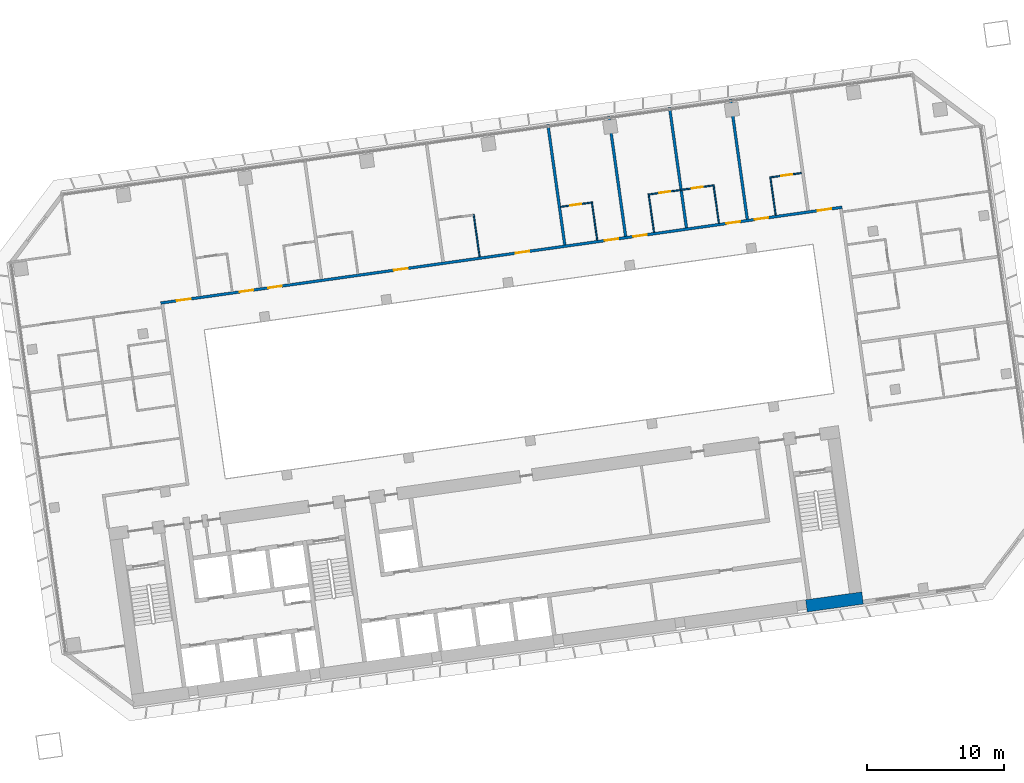
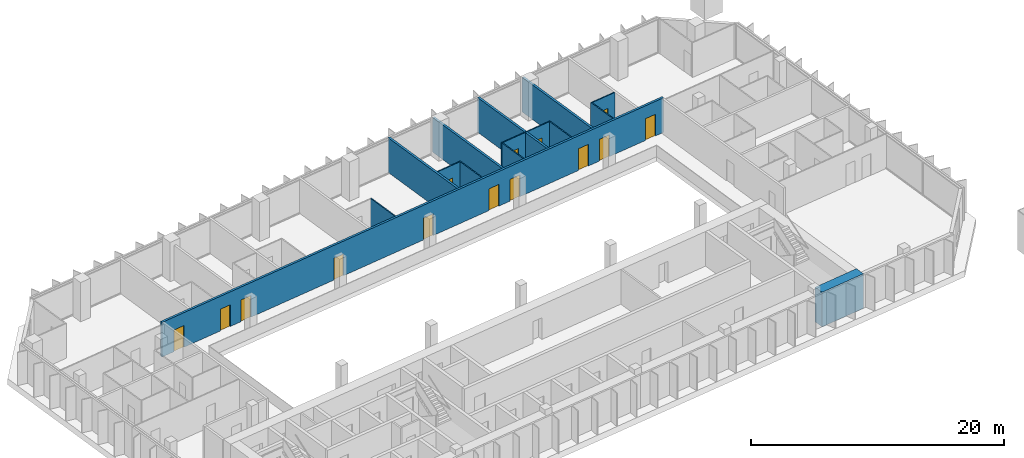
# One storey, part 21 of 25: 14 doors, 14 walls, 14 openings.
"""IFC4 building model written with IfcOpenShell, lengths in metres."""

import ifcopenshell
import ifcopenshell.guid

model = None  # the IFC model being written
_history = None  # IfcOwnerHistory: only IFC2X3 demands one
_inside = {}  # id of a spatial element -> (the spatial element, [elements in it])
_under = {}  # id of a project, library or spatial element -> (it, [spatial elements below it])
_declared = {}  # id of a project -> (the project, [libraries it declares])
_typed = {}  # id of a type object -> (the type object, [elements of that type])
_made_of = {}  # id of a material, layer set ... -> (it, [elements and type objects made of it])


def new_model(schema):
    """Start an empty IFC model of exactly this schema.

    Asked for "IFC4X3", IfcOpenShell would pick the latest addendum, in which some entities
    have other attributes; the version numbers below select the first issue.
    IFC2X3 requires an IfcOwnerHistory on every rooted entity: one is made here for all.
    """
    global model, _history
    if schema == "IFC4X3":
        model = ifcopenshell.file(schema_version=(4, 3, 0, 0))
    else:
        model = ifcopenshell.file(schema=schema)
    _inside.clear()
    _under.clear()
    _declared.clear()
    _typed.clear()
    _made_of.clear()
    _history = None
    if model.schema == "IFC2X3":
        org = make("IfcOrganization", Name="unknown")
        user = make(
            "IfcPersonAndOrganization",
            ThePerson=make("IfcPerson", FamilyName="unknown"),
            TheOrganization=org,
        )
        app = make(
            "IfcApplication",
            ApplicationDeveloper=org,
            Version="unknown",
            ApplicationFullName="unknown",
            ApplicationIdentifier="unknown",
        )
        _history = make(
            "IfcOwnerHistory",
            OwningUser=user,
            OwningApplication=app,
            ChangeAction="ADDED",
            CreationDate=0,
        )
    return model


def make(cls, **values):
    """One entity of the class cls with the attributes given. An attribute that is None is left unset."""
    return model.create_entity(
        cls, **{name: value for name, value in values.items() if value is not None}
    )


def rooted(cls, **values):
    """An entity with a GlobalId (a new one), such as an element, a storey or a relation."""
    return make(cls, GlobalId=ifcopenshell.guid.new(), OwnerHistory=_history, **values)


def si_unit(unit_type, name, prefix=None):
    """IfcSIUnit, for example si_unit("LENGTHUNIT", "METRE", prefix="MILLI")."""
    return make("IfcSIUnit", UnitType=unit_type, Prefix=prefix, Name=name)


def assignment(units):
    """IfcUnitAssignment: the units of a project."""
    return None if units is None else make("IfcUnitAssignment", Units=units)


def point(xyz):
    """IfcCartesianPoint."""
    return None if xyz is None else make("IfcCartesianPoint", Coordinates=xyz)


def direction(xyz):
    """IfcDirection."""
    return None if xyz is None else make("IfcDirection", DirectionRatios=xyz)


def frame(location, z_axis=None, x_axis=None):
    """IfcAxis2Placement3D, a coordinate frame: its origin and axes. An axis left out is left unset."""
    return make(
        "IfcAxis2Placement3D",
        Location=point(location),
        Axis=direction(z_axis),
        RefDirection=direction(x_axis),
    )


def frame_2d(location, x_axis=None):
    """IfcAxis2Placement2D, a coordinate frame in the plane: its origin and x axis."""
    return make(
        "IfcAxis2Placement2D", Location=point(location), RefDirection=direction(x_axis)
    )


def origin():
    """The frame at (0, 0, 0) with its axes left unset."""
    return frame((0.0, 0.0, 0.0))


def place(relative_to, where):
    """IfcLocalPlacement: puts the frame where relative to a parent placement (None: the world)."""
    return make(
        "IfcLocalPlacement", PlacementRelTo=relative_to, RelativePlacement=where
    )


def context(
    kind, dimensions, precision=None, world=None, true_north=None, identifier=None
):
    """IfcGeometricRepresentationContext, for example the 3D "Model" context."""
    return make(
        "IfcGeometricRepresentationContext",
        ContextIdentifier=identifier,
        ContextType=kind,
        CoordinateSpaceDimension=dimensions,
        Precision=precision,
        WorldCoordinateSystem=world,
        TrueNorth=true_north,
    )


def subcontext(parent, identifier, kind, view, scale=None):
    """IfcGeometricRepresentationSubContext, for example "Body" below "Model"."""
    return make(
        "IfcGeometricRepresentationSubContext",
        ContextIdentifier=identifier,
        ContextType=kind,
        ParentContext=parent,
        TargetScale=scale,
        TargetView=view,
    )


def project(units=None, contexts=None):
    """IfcProject with its units and contexts."""
    return rooted(
        "IfcProject",
        Name="project",
        RepresentationContexts=contexts,
        UnitsInContext=assignment(units),
    )


def spatial(cls, under=None, at=None, **own):
    """A site, building, storey or space (cls), placed at a placement, below another one or the project."""
    s = rooted(cls, ObjectPlacement=at, **own)
    if under is not None:
        _under.setdefault(under.id(), (under, []))[1].append(s)
    return s


def profile(cls, at=None, kind="AREA", **sizes):
    """A parametric profile (cls). Its sizes go by their IFC names, for example OverallWidth=200.0."""
    return make(cls, ProfileType=kind, Position=at, **sizes)


def rectangle(**sizes):
    """IfcRectangleProfileDef."""
    return profile("IfcRectangleProfileDef", **sizes)


def extrude(swept, where, along, depth):
    """IfcExtrudedAreaSolid: the profile swept, set in the frame where, extruded along a direction by depth."""
    return make(
        "IfcExtrudedAreaSolid",
        SweptArea=swept,
        Position=where,
        ExtrudedDirection=direction(along),
        Depth=depth,
    )


def shape(context_of_items, identifier, shape_type, items):
    """IfcShapeRepresentation: the items that make up one representation, for example the "Body"."""
    return make(
        "IfcShapeRepresentation",
        ContextOfItems=context_of_items,
        RepresentationIdentifier=identifier,
        RepresentationType=shape_type,
        Items=items,
    )


def material(Name=None, Category=None):
    """IfcMaterial."""
    return make("IfcMaterial", Name=Name, Category=Category)


def layer(
    of_material, thickness, ventilated=None, Name=None, Category=None, Priority=None
):
    """IfcMaterialLayer: one layer of a wall or slab, of a material (None: an air gap)."""
    return make(
        "IfcMaterialLayer",
        Material=of_material,
        LayerThickness=thickness,
        IsVentilated=ventilated,
        Name=Name,
        Category=Category,
        Priority=Priority,
    )


def layer_set(layers, Name=None):
    """IfcMaterialLayerSet."""
    return make("IfcMaterialLayerSet", MaterialLayers=layers, LayerSetName=Name)


def made_of(thing, what):
    """Note that an element or type object is made of a material, layer set ...; save() writes the relation."""
    if what is not None:
        _made_of.setdefault(what.id(), (what, []))[1].append(thing)
    return thing


def type_object(cls, material=None, **own):
    """A type object (cls), such as IfcWallType, which elements share."""
    return made_of(rooted(cls, **own), material)


def element(
    cls,
    number,
    at=None,
    inside=None,
    cuts=None,
    type_object=None,
    material=None,
    context=None,
    identifier="Body",
    shape_type=None,
    held_by="IfcProductDefinitionShape",
    body=None,
    shapes=None,
    **own,
):
    """One element of the class cls, such as IfcWall. Its Tag is "e" and its number.

    at: its placement. inside: the storey or other place that contains it. cuts: it is an
    opening in that element (IfcRelVoidsElement). A single representation is given by context,
    identifier, shape_type and body (its items); several are given by shapes. held_by: the class
    of the entity that holds the representations. save() writes the other relations.
    """
    e = rooted(cls, Tag="e%d" % number, ObjectPlacement=at, **own)
    if body is not None:
        shapes = [shape(context, identifier, shape_type, body)]
    if shapes is not None:
        e.Representation = make(held_by, Representations=shapes)
    if inside is not None:
        _inside.setdefault(inside.id(), (inside, []))[1].append(e)
    if cuts is not None:
        rooted(
            "IfcRelVoidsElement", RelatingBuildingElement=cuts, RelatedOpeningElement=e
        )
    if type_object is not None:
        _typed.setdefault(type_object.id(), (type_object, []))[1].append(e)
    return made_of(e, material)


def fill(opening, filler):
    """IfcRelFillsElement: the door or window that sits in an opening."""
    return rooted(
        "IfcRelFillsElement",
        RelatingOpeningElement=opening,
        RelatedBuildingElement=filler,
    )


def aggregate(whole, parts):
    """IfcRelAggregates: a whole, such as a stair, and the parts it consists of."""
    return rooted("IfcRelAggregates", RelatingObject=whole, RelatedObjects=parts)


def save(model, path):
    """Write the relations noted so far, then the file.

    IfcRelAggregates (storeys below a building ...), IfcRelContainedInSpatialStructure (elements
    in a storey), IfcRelDefinesByType, IfcRelAssociatesMaterial and IfcRelDeclares: one each for
    every whole, place, type object, material and project.
    """
    for whole, parts in _under.values():
        aggregate(whole, parts)
    for where, things in _inside.values():
        rooted(
            "IfcRelContainedInSpatialStructure",
            RelatedElements=things,
            RelatingStructure=where,
        )
    for kind, things in _typed.values():
        rooted("IfcRelDefinesByType", RelatedObjects=things, RelatingType=kind)
    for what, things in _made_of.values():
        rooted("IfcRelAssociatesMaterial", RelatedObjects=things, RelatingMaterial=what)
    for by, libraries in _declared.values():
        rooted("IfcRelDeclares", RelatingContext=by, RelatedDefinitions=libraries)
    model.write(path)


model = new_model("IFC4")

# Units and contexts
model_context = context("Model", 3, precision=1e-05, world=origin(), true_north=direction((0.0, 1.0)))
body_context = subcontext(model_context, "Body", "Model", "MODEL_VIEW")
ifc_project = project(units=[si_unit("LENGTHUNIT", "METRE"), si_unit("AREAUNIT", "SQUARE_METRE"), si_unit("VOLUMEUNIT", "CUBIC_METRE"), si_unit("PLANEANGLEUNIT", "RADIAN"), si_unit("MASSUNIT", "GRAM", prefix="KILO")], contexts=[model_context])

# Site, building, storey
site_placement = place(None, origin())
site = spatial("IfcSite", under=ifc_project, at=site_placement, CompositionType="ELEMENT")
building_placement = place(site_placement, origin())
building = spatial("IfcBuilding", under=site, at=building_placement, Name="Mirante Cascada Hotel Towers", CompositionType="ELEMENT")
storey_placement = place(building_placement, frame((0.0, 0.0, 69.9)))
storey = spatial("IfcBuildingStorey", under=building, at=storey_placement, Name="L14", CompositionType="ELEMENT", Elevation=69.9)

# Wall, openings, doors
ifc_material_1 = material(Name="Fire-rated plasterboard on metal studs")
ifc_layer_1 = layer(ifc_material_1, 0.2)
ifc_layer_set_1 = layer_set([ifc_layer_1], Name="Compartment wall 200 EI 120")
wall_type_1 = type_object("IfcWallType", Name="Compartment wall 200 EI 120", PredefinedType="PARTITIONING", material=ifc_layer_set_1)
wall_1_placement = place(storey_placement, frame((39.1051, 9.3779, 0.0), z_axis=(0.0, 0.0, 1.0), x_axis=(0.9902681, 0.1391727, 0.0)))
wall_1 = element("IfcWall", 1, at=wall_1_placement, inside=storey, type_object=wall_type_1, Name="Wall 2-L14-19", PredefinedType="PARTITIONING", context=body_context, shape_type="SweptSolid", body=[
    extrude(rectangle(XDim=50.4, YDim=0.2, at=frame_2d((25.2, 0.0))), origin(), (0.0, 0.0, 1.0), 3.35),
])
opening_1_placement = place(wall_1_placement, frame((1.2, 0.0, 0.0)))
opening_1 = element("IfcOpeningElement", 2, at=opening_1_placement, cuts=wall_1, Name="Opening D2-L14-11", PredefinedType="OPENING", context=body_context, shape_type="SweptSolid", body=[
    extrude(rectangle(XDim=1.0, YDim=2.1, at=frame_2d((0.5, 1.05))), frame((0.0, 0.1, 0.0), z_axis=(0.0, -1.0, 0.0), x_axis=(1.0, 0.0, 0.0)), (0.0, 0.0, 1.0), 0.2),
])
opening_2_placement = place(wall_1_placement, frame((5.85, 0.0, 0.0)))
opening_2 = element("IfcOpeningElement", 3, at=opening_2_placement, cuts=wall_1, Name="Opening D2-L14-12", PredefinedType="OPENING", context=body_context, shape_type="SweptSolid", body=[
    extrude(rectangle(XDim=1.0, YDim=2.1, at=frame_2d((0.5, 1.05))), frame((0.0, 0.1, 0.0), z_axis=(0.0, -1.0, 0.0), x_axis=(1.0, 0.0, 0.0)), (0.0, 0.0, 1.0), 0.2),
])
opening_3_placement = place(wall_1_placement, frame((7.95, 0.0, 0.0)))
opening_3 = element("IfcOpeningElement", 4, at=opening_3_placement, cuts=wall_1, Name="Opening D2-L14-13", PredefinedType="OPENING", context=body_context, shape_type="SweptSolid", body=[
    extrude(rectangle(XDim=1.0, YDim=2.1, at=frame_2d((0.5, 1.05))), frame((0.0, 0.1, 0.0), z_axis=(0.0, -1.0, 0.0), x_axis=(1.0, 0.0, 0.0)), (0.0, 0.0, 1.0), 0.2),
])
opening_4_placement = place(wall_1_placement, frame((17.25, 0.0, 0.0)))
opening_4 = element("IfcOpeningElement", 5, at=opening_4_placement, cuts=wall_1, Name="Opening D2-L14-14", PredefinedType="OPENING", context=body_context, shape_type="SweptSolid", body=[
    extrude(rectangle(XDim=1.0, YDim=2.1, at=frame_2d((0.5, 1.05))), frame((0.0, 0.1, 0.0), z_axis=(0.0, -1.0, 0.0), x_axis=(1.0, 0.0, 0.0)), (0.0, 0.0, 1.0), 0.2),
])
opening_5_placement = place(wall_1_placement, frame((26.25, 0.0, 0.0)))
opening_5 = element("IfcOpeningElement", 6, at=opening_5_placement, cuts=wall_1, Name="Opening D2-L14-15", PredefinedType="OPENING", context=body_context, shape_type="SweptSolid", body=[
    extrude(rectangle(XDim=1.0, YDim=2.1, at=frame_2d((0.5, 1.05))), frame((0.0, 0.1, 0.0), z_axis=(0.0, -1.0, 0.0), x_axis=(1.0, 0.0, 0.0)), (0.0, 0.0, 1.0), 0.2),
])
opening_6_placement = place(wall_1_placement, frame((32.85, 0.0, 0.0)))
opening_6 = element("IfcOpeningElement", 7, at=opening_6_placement, cuts=wall_1, Name="Opening D2-L14-16", PredefinedType="OPENING", context=body_context, shape_type="SweptSolid", body=[
    extrude(rectangle(XDim=1.0, YDim=2.1, at=frame_2d((0.5, 1.05))), frame((0.0, 0.1, 0.0), z_axis=(0.0, -1.0, 0.0), x_axis=(1.0, 0.0, 0.0)), (0.0, 0.0, 1.0), 0.2),
])
opening_7_placement = place(wall_1_placement, frame((34.95, 0.0, 0.0)))
opening_7 = element("IfcOpeningElement", 8, at=opening_7_placement, cuts=wall_1, Name="Opening D2-L14-17", PredefinedType="OPENING", context=body_context, shape_type="SweptSolid", body=[
    extrude(rectangle(XDim=1.0, YDim=2.1, at=frame_2d((0.5, 1.05))), frame((0.0, 0.1, 0.0), z_axis=(0.0, -1.0, 0.0), x_axis=(1.0, 0.0, 0.0)), (0.0, 0.0, 1.0), 0.2),
])
opening_8_placement = place(wall_1_placement, frame((41.85, 0.0, 0.0)))
opening_8 = element("IfcOpeningElement", 9, at=opening_8_placement, cuts=wall_1, Name="Opening D2-L14-18", PredefinedType="OPENING", context=body_context, shape_type="SweptSolid", body=[
    extrude(rectangle(XDim=1.0, YDim=2.1, at=frame_2d((0.5, 1.05))), frame((0.0, 0.1, 0.0), z_axis=(0.0, -1.0, 0.0), x_axis=(1.0, 0.0, 0.0)), (0.0, 0.0, 1.0), 0.2),
])
opening_9_placement = place(wall_1_placement, frame((43.95, 0.0, 0.0)))
opening_9 = element("IfcOpeningElement", 10, at=opening_9_placement, cuts=wall_1, Name="Opening D2-L14-19", PredefinedType="OPENING", context=body_context, shape_type="SweptSolid", body=[
    extrude(rectangle(XDim=1.0, YDim=2.1, at=frame_2d((0.5, 1.05))), frame((0.0, 0.1, 0.0), z_axis=(0.0, -1.0, 0.0), x_axis=(1.0, 0.0, 0.0)), (0.0, 0.0, 1.0), 0.2),
])
opening_10_placement = place(wall_1_placement, frame((48.6, 0.0, 0.0)))
opening_10 = element("IfcOpeningElement", 11, at=opening_10_placement, cuts=wall_1, Name="Opening D2-L14-20", PredefinedType="OPENING", context=body_context, shape_type="SweptSolid", body=[
    extrude(rectangle(XDim=1.0, YDim=2.1, at=frame_2d((0.5, 1.05))), frame((0.0, 0.1, 0.0), z_axis=(0.0, -1.0, 0.0), x_axis=(1.0, 0.0, 0.0)), (0.0, 0.0, 1.0), 0.2),
])
ifc_material_2 = material(Name="Fire-rated timber door leaf", Category="wood")
door_type_1 = type_object("IfcDoorType", Name="Entrance door DG1 1000x2100 EI 60", OperationType="SINGLE_SWING_LEFT", PredefinedType="DOOR", material=ifc_material_2)
door_1_placement = place(opening_1_placement, origin())
door_1 = element("IfcDoor", 12, at=door_1_placement, inside=storey, type_object=door_type_1, Name="Door D2-L14-11", OperationType="SINGLE_SWING_LEFT", OverallHeight=2.1, OverallWidth=1.0, PredefinedType="DOOR", context=body_context, shape_type="SweptSolid", body=[
    extrude(rectangle(XDim=1.0, YDim=2.1, at=frame_2d((0.5, 1.05))), frame((0.0, 0.025, 0.0), z_axis=(0.0, -1.0, 0.0), x_axis=(1.0, 0.0, 0.0)), (0.0, 0.0, 1.0), 0.05),
])
fill(opening_1, door_1)
door_2_placement = place(opening_2_placement, origin())
door_2 = element("IfcDoor", 13, at=door_2_placement, inside=storey, type_object=door_type_1, Name="Door D2-L14-12", OperationType="SINGLE_SWING_LEFT", OverallHeight=2.1, OverallWidth=1.0, PredefinedType="DOOR", context=body_context, shape_type="SweptSolid", body=[
    extrude(rectangle(XDim=1.0, YDim=2.1, at=frame_2d((0.5, 1.05))), frame((0.0, 0.025, 0.0), z_axis=(0.0, -1.0, 0.0), x_axis=(1.0, 0.0, 0.0)), (0.0, 0.0, 1.0), 0.05),
])
fill(opening_2, door_2)
door_3_placement = place(opening_3_placement, origin())
door_3 = element("IfcDoor", 14, at=door_3_placement, inside=storey, type_object=door_type_1, Name="Door D2-L14-13", OperationType="SINGLE_SWING_LEFT", OverallHeight=2.1, OverallWidth=1.0, PredefinedType="DOOR", context=body_context, shape_type="SweptSolid", body=[
    extrude(rectangle(XDim=1.0, YDim=2.1, at=frame_2d((0.5, 1.05))), frame((0.0, 0.025, 0.0), z_axis=(0.0, -1.0, 0.0), x_axis=(1.0, 0.0, 0.0)), (0.0, 0.0, 1.0), 0.05),
])
fill(opening_3, door_3)
door_4_placement = place(opening_4_placement, origin())
door_4 = element("IfcDoor", 15, at=door_4_placement, inside=storey, type_object=door_type_1, Name="Door D2-L14-14", OperationType="SINGLE_SWING_LEFT", OverallHeight=2.1, OverallWidth=1.0, PredefinedType="DOOR", context=body_context, shape_type="SweptSolid", body=[
    extrude(rectangle(XDim=1.0, YDim=2.1, at=frame_2d((0.5, 1.05))), frame((0.0, 0.025, 0.0), z_axis=(0.0, -1.0, 0.0), x_axis=(1.0, 0.0, 0.0)), (0.0, 0.0, 1.0), 0.05),
])
fill(opening_4, door_4)
door_5_placement = place(opening_5_placement, origin())
door_5 = element("IfcDoor", 16, at=door_5_placement, inside=storey, type_object=door_type_1, Name="Door D2-L14-15", OperationType="SINGLE_SWING_LEFT", OverallHeight=2.1, OverallWidth=1.0, PredefinedType="DOOR", context=body_context, shape_type="SweptSolid", body=[
    extrude(rectangle(XDim=1.0, YDim=2.1, at=frame_2d((0.5, 1.05))), frame((0.0, 0.025, 0.0), z_axis=(0.0, -1.0, 0.0), x_axis=(1.0, 0.0, 0.0)), (0.0, 0.0, 1.0), 0.05),
])
fill(opening_5, door_5)
door_6_placement = place(opening_6_placement, origin())
door_6 = element("IfcDoor", 17, at=door_6_placement, inside=storey, type_object=door_type_1, Name="Door D2-L14-16", OperationType="SINGLE_SWING_LEFT", OverallHeight=2.1, OverallWidth=1.0, PredefinedType="DOOR", context=body_context, shape_type="SweptSolid", body=[
    extrude(rectangle(XDim=1.0, YDim=2.1, at=frame_2d((0.5, 1.05))), frame((0.0, 0.025, 0.0), z_axis=(0.0, -1.0, 0.0), x_axis=(1.0, 0.0, 0.0)), (0.0, 0.0, 1.0), 0.05),
])
fill(opening_6, door_6)
door_7_placement = place(opening_7_placement, origin())
door_7 = element("IfcDoor", 18, at=door_7_placement, inside=storey, type_object=door_type_1, Name="Door D2-L14-17", OperationType="SINGLE_SWING_LEFT", OverallHeight=2.1, OverallWidth=1.0, PredefinedType="DOOR", context=body_context, shape_type="SweptSolid", body=[
    extrude(rectangle(XDim=1.0, YDim=2.1, at=frame_2d((0.5, 1.05))), frame((0.0, 0.025, 0.0), z_axis=(0.0, -1.0, 0.0), x_axis=(1.0, 0.0, 0.0)), (0.0, 0.0, 1.0), 0.05),
])
fill(opening_7, door_7)
door_8_placement = place(opening_8_placement, origin())
door_8 = element("IfcDoor", 19, at=door_8_placement, inside=storey, type_object=door_type_1, Name="Door D2-L14-18", OperationType="SINGLE_SWING_LEFT", OverallHeight=2.1, OverallWidth=1.0, PredefinedType="DOOR", context=body_context, shape_type="SweptSolid", body=[
    extrude(rectangle(XDim=1.0, YDim=2.1, at=frame_2d((0.5, 1.05))), frame((0.0, 0.025, 0.0), z_axis=(0.0, -1.0, 0.0), x_axis=(1.0, 0.0, 0.0)), (0.0, 0.0, 1.0), 0.05),
])
fill(opening_8, door_8)
door_9_placement = place(opening_9_placement, origin())
door_9 = element("IfcDoor", 20, at=door_9_placement, inside=storey, type_object=door_type_1, Name="Door D2-L14-19", OperationType="SINGLE_SWING_LEFT", OverallHeight=2.1, OverallWidth=1.0, PredefinedType="DOOR", context=body_context, shape_type="SweptSolid", body=[
    extrude(rectangle(XDim=1.0, YDim=2.1, at=frame_2d((0.5, 1.05))), frame((0.0, 0.025, 0.0), z_axis=(0.0, -1.0, 0.0), x_axis=(1.0, 0.0, 0.0)), (0.0, 0.0, 1.0), 0.05),
])
fill(opening_9, door_9)
door_10_placement = place(opening_10_placement, origin())
door_10 = element("IfcDoor", 21, at=door_10_placement, inside=storey, type_object=door_type_1, Name="Door D2-L14-20", OperationType="SINGLE_SWING_LEFT", OverallHeight=2.1, OverallWidth=1.0, PredefinedType="DOOR", context=body_context, shape_type="SweptSolid", body=[
    extrude(rectangle(XDim=1.0, YDim=2.1, at=frame_2d((0.5, 1.05))), frame((0.0, 0.025, 0.0), z_axis=(0.0, -1.0, 0.0), x_axis=(1.0, 0.0, 0.0)), (0.0, 0.0, 1.0), 0.05),
])
fill(opening_10, door_10)

# Walls
for number, where, z_axis, x_axis, name in (
    (22, (68.7002, 13.6382, 0.0), (0.0, 0.0, 1.0), (-0.1391684, 0.9902687, 0.0), "Wall 2-L14-43"),
    (23, (73.1564, 14.2645, 0.0), (0.0, 0.0, 1.0), (-0.1391684, 0.9902687, 0.0), "Wall 2-L14-45"),
    (24, (77.6126, 14.8908, 0.0), (0.0, 0.0, 1.0), (-0.1391684, 0.9902687, 0.0), "Wall 2-L14-47"),
):
    element("IfcWall", number, at=place(storey_placement, frame(where, z_axis=z_axis, x_axis=x_axis)), inside=storey, type_object=wall_type_1, Name=name, PredefinedType="PARTITIONING", context=body_context, shape_type="SweptSolid", body=[
        extrude(rectangle(XDim=8.9, YDim=0.2, at=frame_2d((4.45, 0.0))), origin(), (0.0, 0.0, 1.0), 3.35),
    ])
wall_2_placement = place(storey_placement, frame((82.0688, 15.5171, 0.0), z_axis=(0.0, 0.0, 1.0), x_axis=(-0.13917, 0.9902685, 0.0)))
element("IfcWall", 25, at=wall_2_placement, inside=storey, type_object=wall_type_1, Name="Wall 2-L14-49", PredefinedType="PARTITIONING", context=body_context, shape_type="SweptSolid", body=[
    extrude(rectangle(XDim=8.8999, YDim=0.2, at=frame_2d((4.45, 0.0))), origin(), (0.0, 0.0, 1.0), 3.35),
])

# Wall, opening, door
ifc_material_3 = material(Name="Plasterboard on metal studs")
ifc_layer_2 = layer(ifc_material_3, 0.1)
ifc_layer_set_2 = layer_set([ifc_layer_2], Name="Partition 100")
wall_type_2 = type_object("IfcWallType", Name="Partition 100", PredefinedType="PARTITIONING", material=ifc_layer_set_2)
wall_3_placement = place(storey_placement, frame((70.6377, 16.738, 0.0), z_axis=(0.0, 0.0, 1.0), x_axis=(-0.9902705, -0.1391561, 0.0)))
wall_3 = element("IfcWall", 26, at=wall_3_placement, inside=storey, type_object=wall_type_2, Name="Wall 2-L14-22", PredefinedType="PARTITIONING", context=body_context, shape_type="SweptSolid", body=[
    extrude(rectangle(XDim=2.25, YDim=0.1, at=frame_2d((1.125, 0.0))), origin(), (0.0, 0.0, 1.0), 3.35),
])
opening_11_placement = place(wall_3_placement, frame((0.75, 0.0, 0.0)))
opening_11 = element("IfcOpeningElement", 27, at=opening_11_placement, cuts=wall_3, Name="Opening D2-L14-23", PredefinedType="OPENING", context=body_context, shape_type="SweptSolid", body=[
    extrude(rectangle(XDim=0.8, YDim=2.1, at=frame_2d((0.4, 1.05))), frame((0.0, 0.05, 0.0), z_axis=(0.0, -1.0, 0.0), x_axis=(1.0, 0.0, 0.0)), (0.0, 0.0, 1.0), 0.1),
])
ifc_material_4 = material(Name="Timber door leaf", Category="wood")
door_type_2 = type_object("IfcDoorType", Name="Bathroom door DG4 800x2100", OperationType="SINGLE_SWING_LEFT", PredefinedType="DOOR", material=ifc_material_4)
door_11_placement = place(opening_11_placement, frame((0.8, 0.0, 0.0), z_axis=(0.0, 0.0, 1.0), x_axis=(-1.0, 0.0, 0.0)))
door_11 = element("IfcDoor", 28, at=door_11_placement, inside=storey, type_object=door_type_2, Name="Door D2-L14-23", OperationType="SINGLE_SWING_RIGHT", OverallHeight=2.1, OverallWidth=0.8, PredefinedType="DOOR", context=body_context, shape_type="SweptSolid", body=[
    extrude(rectangle(XDim=0.8, YDim=2.1, at=frame_2d((0.4, 1.05))), frame((0.0, 0.025, 0.0), z_axis=(0.0, -1.0, 0.0), x_axis=(1.0, 0.0, 0.0)), (0.0, 0.0, 1.0), 0.05),
])
fill(opening_11, door_11)

# Wall, openings, doors
wall_4_placement = place(storey_placement, frame((74.7968, 17.3226, 0.0), z_axis=(0.0, 0.0, 1.0), x_axis=(0.9902694, 0.1391638, 0.0)))
wall_4 = element("IfcWall", 29, at=wall_4_placement, inside=storey, type_object=wall_type_2, Name="Wall 2-L14-23", PredefinedType="PARTITIONING", context=body_context, shape_type="SweptSolid", body=[
    extrude(rectangle(XDim=4.9, YDim=0.1, at=frame_2d((2.45, 0.0))), origin(), (0.0, 0.0, 1.0), 3.35),
])
opening_12_placement = place(wall_4_placement, frame((0.85, 0.0, 0.0)))
opening_12 = element("IfcOpeningElement", 30, at=opening_12_placement, cuts=wall_4, Name="Opening D2-L14-24", PredefinedType="OPENING", context=body_context, shape_type="SweptSolid", body=[
    extrude(rectangle(XDim=0.8, YDim=2.1, at=frame_2d((0.4, 1.05))), frame((0.0, 0.05, 0.0), z_axis=(0.0, -1.0, 0.0), x_axis=(1.0, 0.0, 0.0)), (0.0, 0.0, 1.0), 0.1),
])
opening_13_placement = place(wall_4_placement, frame((3.25, 0.0, 0.0)))
opening_13 = element("IfcOpeningElement", 31, at=opening_13_placement, cuts=wall_4, Name="Opening D2-L14-25", PredefinedType="OPENING", context=body_context, shape_type="SweptSolid", body=[
    extrude(rectangle(XDim=0.8, YDim=2.1, at=frame_2d((0.4, 1.05))), frame((0.0, 0.05, 0.0), z_axis=(0.0, -1.0, 0.0), x_axis=(1.0, 0.0, 0.0)), (0.0, 0.0, 1.0), 0.1),
])
door_12_placement = place(opening_12_placement, origin())
door_12 = element("IfcDoor", 32, at=door_12_placement, inside=storey, type_object=door_type_2, Name="Door D2-L14-24", OperationType="SINGLE_SWING_LEFT", OverallHeight=2.1, OverallWidth=0.8, PredefinedType="DOOR", context=body_context, shape_type="SweptSolid", body=[
    extrude(rectangle(XDim=0.8, YDim=2.1, at=frame_2d((0.4, 1.05))), frame((0.0, 0.025, 0.0), z_axis=(0.0, -1.0, 0.0), x_axis=(1.0, 0.0, 0.0)), (0.0, 0.0, 1.0), 0.05),
])
fill(opening_12, door_12)
door_13_placement = place(opening_13_placement, origin())
door_13 = element("IfcDoor", 33, at=door_13_placement, inside=storey, type_object=door_type_2, Name="Door D2-L14-25", OperationType="SINGLE_SWING_LEFT", OverallHeight=2.1, OverallWidth=0.8, PredefinedType="DOOR", context=body_context, shape_type="SweptSolid", body=[
    extrude(rectangle(XDim=0.8, YDim=2.1, at=frame_2d((0.4, 1.05))), frame((0.0, 0.025, 0.0), z_axis=(0.0, -1.0, 0.0), x_axis=(1.0, 0.0, 0.0)), (0.0, 0.0, 1.0), 0.05),
])
fill(opening_13, door_13)

# Wall, opening, door
wall_5_placement = place(storey_placement, frame((86.0363, 18.9022, 0.0), z_axis=(0.0, 0.0, 1.0), x_axis=(-0.9902643, -0.1391997, 0.0)))
wall_5 = element("IfcWall", 34, at=wall_5_placement, inside=storey, type_object=wall_type_2, Name="Wall 2-L14-24", PredefinedType="PARTITIONING", context=body_context, shape_type="SweptSolid", body=[
    extrude(rectangle(XDim=2.25, YDim=0.1, at=frame_2d((1.125, 0.0))), origin(), (0.0, 0.0, 1.0), 3.35),
])
opening_14_placement = place(wall_5_placement, frame((0.7, 0.0, 0.0)))
opening_14 = element("IfcOpeningElement", 35, at=opening_14_placement, cuts=wall_5, Name="Opening D2-L14-26", PredefinedType="OPENING", context=body_context, shape_type="SweptSolid", body=[
    extrude(rectangle(XDim=0.8, YDim=2.1, at=frame_2d((0.4, 1.05))), frame((0.0, 0.05, 0.0), z_axis=(0.0, -1.0, 0.0), x_axis=(1.0, 0.0, 0.0)), (0.0, 0.0, 1.0), 0.1),
])
door_14_placement = place(opening_14_placement, frame((0.8, 0.0, 0.0), z_axis=(0.0, 0.0, 1.0), x_axis=(-1.0, 0.0, 0.0)))
door_14 = element("IfcDoor", 36, at=door_14_placement, inside=storey, type_object=door_type_2, Name="Door D2-L14-26", OperationType="SINGLE_SWING_RIGHT", OverallHeight=2.1, OverallWidth=0.8, PredefinedType="DOOR", context=body_context, shape_type="SweptSolid", body=[
    extrude(rectangle(XDim=0.8, YDim=2.1, at=frame_2d((0.4, 1.05))), frame((0.0, 0.025, 0.0), z_axis=(0.0, -1.0, 0.0), x_axis=(1.0, 0.0, 0.0)), (0.0, 0.0, 1.0), 0.05),
])
fill(opening_14, door_14)

# Walls
wall_6_placement = place(storey_placement, frame((62.0231, 15.8808, 0.0), z_axis=(0.0, 0.0, 1.0), x_axis=(0.1391721, -0.9902682, 0.0)))
element("IfcWall", 37, at=wall_6_placement, inside=storey, type_object=wall_type_2, Name="Wall 2-L14-42", PredefinedType="PARTITIONING", context=body_context, shape_type="SweptSolid", body=[
    extrude(rectangle(XDim=3.1501, YDim=0.1, at=frame_2d((1.575, 0.0))), origin(), (0.0, 0.0, 1.0), 3.35),
])
wall_7_placement = place(storey_placement, frame((70.6802, 16.7945, 0.0), z_axis=(0.0, 0.0, 1.0), x_axis=(0.1391909, -0.9902656, 0.0)))
element("IfcWall", 38, at=wall_7_placement, inside=storey, type_object=wall_type_2, Name="Wall 2-L14-44", PredefinedType="PARTITIONING", context=body_context, shape_type="SweptSolid", body=[
    extrude(rectangle(XDim=2.85, YDim=0.1, at=frame_2d((1.425, 0.0))), origin(), (0.0, 0.0, 1.0), 3.35),
])
for number, where, z_axis, x_axis, name in (
    (39, (74.8533, 17.28, 0.0), (0.0, 0.0, 1.0), (0.1391657, -0.9902691, 0.0), "Wall 2-L14-46"),
    (40, (79.6065, 17.948, 0.0), (0.0, 0.0, 1.0), (0.1392013, -0.9902641, 0.0), "Wall 2-L14-48"),
):
    element("IfcWall", number, at=place(storey_placement, frame(where, z_axis=z_axis, x_axis=x_axis)), inside=storey, type_object=wall_type_2, Name=name, PredefinedType="PARTITIONING", context=body_context, shape_type="SweptSolid", body=[
        extrude(rectangle(XDim=2.75, YDim=0.1, at=frame_2d((1.375, 0.0))), origin(), (0.0, 0.0, 1.0), 3.35),
    ])
wall_8_placement = place(storey_placement, frame((83.7517, 18.6316, 0.0), z_axis=(0.0, 0.0, 1.0), x_axis=(0.1391909, -0.9902656, 0.0)))
element("IfcWall", 41, at=wall_8_placement, inside=storey, type_object=wall_type_2, Name="Wall 2-L14-50", PredefinedType="PARTITIONING", context=body_context, shape_type="SweptSolid", body=[
    extrude(rectangle(XDim=2.85, YDim=0.1, at=frame_2d((1.425, 0.0))), origin(), (0.0, 0.0, 1.0), 3.35),
])
ifc_material_5 = material(Name="Concrete C50/60", Category="concrete")
ifc_layer_3 = layer(ifc_material_5, 0.9)
ifc_layer_set_3 = layer_set([ifc_layer_3], Name="RC core wall 900 C50/60")
wall_type_3 = type_object("IfcWallType", Name="RC core wall 900 C50/60", PredefinedType="SHEAR", material=ifc_layer_set_3)
wall_9_placement = place(storey_placement, frame((86.4027, -12.8054, 0.0), z_axis=(0.0, 0.0, 1.0), x_axis=(0.990267, 0.139181, 0.0)))
element("IfcWall", 42, at=wall_9_placement, inside=storey, type_object=wall_type_3, Name="Core wall T2:L14:1.7", PredefinedType="SHEAR", context=body_context, shape_type="SweptSolid", body=[
    extrude(rectangle(XDim=4.15, YDim=0.9, at=frame_2d((2.075, 0.0))), origin(), (0.0, 0.0, 1.0), 3.35),
])

save(model, "model.ifc")
